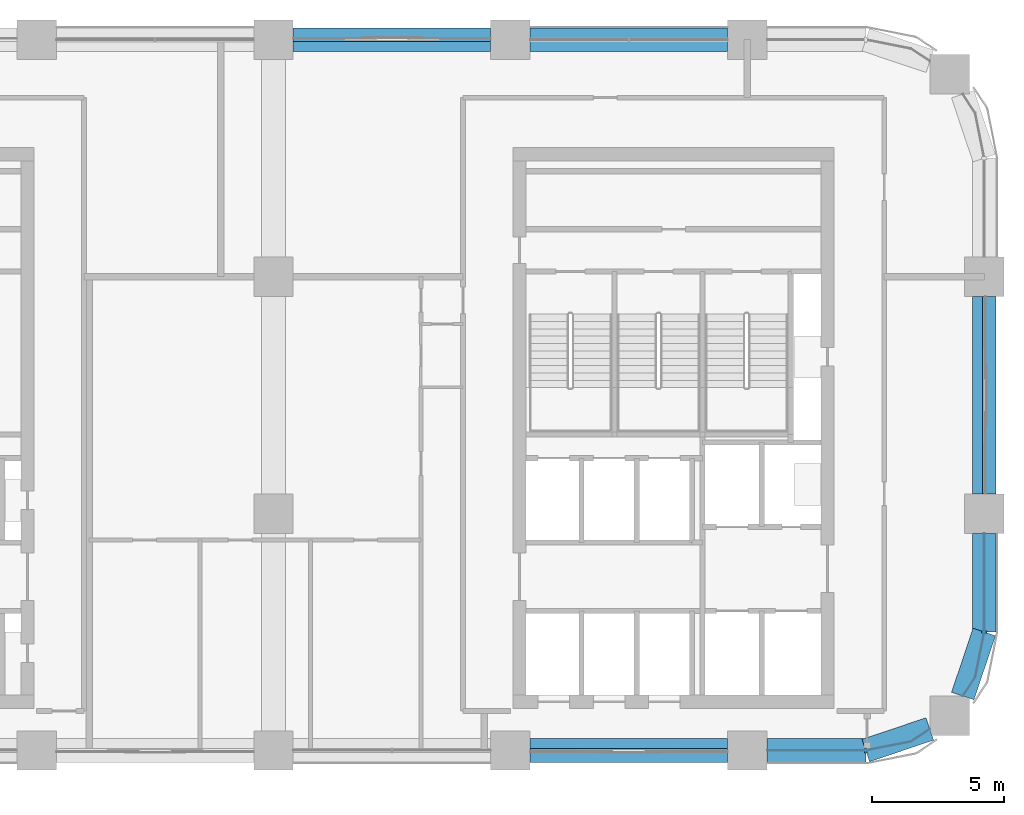
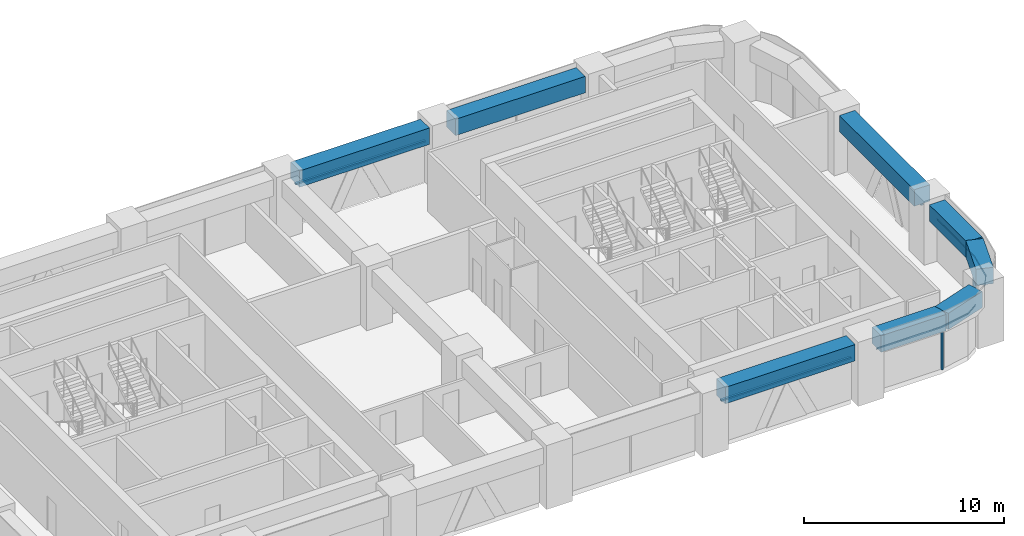
# One storey, part 5 of 19: 8 beams, 7 members, 5 elements without a shape of their own.
"""IFC4 building model written with IfcOpenShell, lengths in metres."""

from ifc_helpers import new_model, si_unit, direction, frame, origin, origin_2d, place, context, subcontext, project, spatial, polyline, rectangle, outline, extrude, material, material_profile, profile_set, type_object, element, aggregate, save


model = new_model("IFC4")

# Units and contexts
model_context = context("Model", 3, precision=1e-05, world=origin(), true_north=direction((0.0, 1.0)))
body_context = subcontext(model_context, "Body", "Model", "MODEL_VIEW")
ifc_project = project(units=[si_unit("LENGTHUNIT", "METRE"), si_unit("AREAUNIT", "SQUARE_METRE"), si_unit("VOLUMEUNIT", "CUBIC_METRE"), si_unit("PLANEANGLEUNIT", "RADIAN"), si_unit("MASSUNIT", "GRAM", prefix="KILO")], contexts=[model_context])

# Site, building, storey
site_placement = place(None, origin())
site = spatial("IfcSite", under=ifc_project, at=site_placement, CompositionType="ELEMENT")
building_placement = place(site_placement, origin())
building = spatial("IfcBuilding", under=site, at=building_placement, Name="Tessera Arch", CompositionType="ELEMENT")
storey_placement = place(building_placement, frame((0.0, 0.0, 170.0)))
storey = spatial("IfcBuildingStorey", under=building, at=storey_placement, Name="L40", CompositionType="ELEMENT", Elevation=170.0)

# Curtain wall, member
ifc_material_1 = material(Name="CW2 curtain wall")
curtain_wall_type_1 = type_object("IfcCurtainWallType", Name="CW2 curtain wall", PredefinedType="NOTDEFINED", material=ifc_material_1)
curtain_wall_1_placement = place(storey_placement, origin())
curtain_wall_1 = element("IfcCurtainWall", 1, at=curtain_wall_1_placement, inside=storey, type_object=curtain_wall_type_1, Name="CW2 curtain wall S27.0/5 L40", PredefinedType="NOTDEFINED")
ifc_material_2 = material(Name="Anodised aluminium pale metal", Category="aluminium")
ifc_material_profile_1 = material_profile(ifc_material_2, rectangle(XDim=0.199951171875, YDim=0.080078125, at=origin_2d()), Name="AL 80x200")
ifc_profile_set_1 = profile_set([ifc_material_profile_1], Name="Anodised aluminium pale metal")
member_type_1 = type_object("IfcMemberType", Name="CW2 mullion", PredefinedType="MULLION", material=ifc_profile_set_1)
member_1_placement = place(storey_placement, frame((49.5, 27.0, 0.0), z_axis=(0.0, 0.0, 1.0), x_axis=(0.0, 1.0, 0.0)))
member_1 = element("IfcMember", 2, at=member_1_placement, type_object=member_type_1, Name="CW2 mullion S27.0/5 1", PredefinedType="MULLION", context=body_context, shape_type="SweptSolid", body=[
    extrude(rectangle(XDim=0.199951171875, YDim=0.080078125, at=origin_2d()), origin(), (0.0, 0.0, 1.0), 2.5),
])

curtain_wall_2_placement = place(storey_placement, origin())
curtain_wall_2 = element("IfcCurtainWall", 3, at=curtain_wall_2_placement, inside=storey, type_object=curtain_wall_type_1, Name="CW2 curtain wall E54.27/2 L40", PredefinedType="NOTDEFINED")
member_2_placement = place(storey_placement, frame((54.0, 31.5, 0.0), z_axis=(0.0, 0.0, 1.0), x_axis=(-1.0, 0.0, 0.0)))
member_2 = element("IfcMember", 4, at=member_2_placement, type_object=member_type_1, Name="CW2 mullion E54.27/2 1", PredefinedType="MULLION", context=body_context, shape_type="SweptSolid", body=[
    extrude(rectangle(XDim=0.199951171875, YDim=0.080078125, at=origin_2d()), origin(), (0.0, 0.0, 1.0), 2.5),
])

# Member
ifc_material_3 = material(Name="Anodised aluminium pale metal", Category="aluminium")
ifc_material_profile_2 = material_profile(ifc_material_3, rectangle(XDim=0.199951171875, YDim=0.10009765625, at=origin_2d()), Name="AL 200x100")
ifc_profile_set_2 = profile_set([ifc_material_profile_2], Name="Anodised aluminium pale metal")
member_type_2 = type_object("IfcMemberType", Name="CW2 transom", PredefinedType="USERDEFINED", material=ifc_profile_set_2)
member_3_placement = place(storey_placement, frame((0.0, 0.0, 2.5)))
member_3 = element("IfcMember", 5, at=member_3_placement, type_object=member_type_2, Name="CW2 transom S27.0/5 1", ObjectType="TRANSOM", PredefinedType="USERDEFINED", context=body_context, shape_type="SweptSolid", body=[
    extrude(outline(polyline([(49.4990234375, 27.010009765625), (45.75, 27.010009765625), (45.75, 26.989990234375), (49.5009765625, 26.989990234375), (51.22607421875, 27.3330078125), (51.9375, 27.80859375), (51.926513671875, 27.8251953125), (51.21826171875, 27.351806640625), (49.4990234375, 27.010009765625)])), origin(), (0.0, 0.0, 1.0), 0.10009765625),
])

aggregate(curtain_wall_1, [member_1, member_3])

member_4_placement = place(storey_placement, frame((0.0, 0.0, 2.5)))
member_4 = element("IfcMember", 6, at=member_4_placement, type_object=member_type_2, Name="CW2 transom E54.27/2 1", ObjectType="TRANSOM", PredefinedType="USERDEFINED", context=body_context, shape_type="SweptSolid", body=[
    extrude(outline(polyline([(53.648193359375, 29.78173828125), (53.1748046875, 29.073486328125), (53.19140625, 29.0625), (53.6669921875, 29.77392578125), (54.010009765625, 31.4990234375), (54.010009765625, 35.25), (53.989990234375, 35.25), (53.989990234375, 31.5009765625), (53.648193359375, 29.78173828125)])), origin(), (0.0, 0.0, 1.0), 0.10009765625),
])

aggregate(curtain_wall_2, [member_2, member_4])

# Curtain wall, member
ifc_material_4 = material(Name="CW3 curtain wall")
curtain_wall_type_2 = type_object("IfcCurtainWallType", Name="CW3 curtain wall", PredefinedType="NOTDEFINED", material=ifc_material_4)
curtain_wall_3_placement = place(storey_placement, origin())
curtain_wall_3 = element("IfcCurtainWall", 7, at=curtain_wall_3_placement, inside=storey, type_object=curtain_wall_type_2, Name="CW3 curtain wall E54.27/0 L40", PredefinedType="NOTDEFINED")
ifc_material_5 = material(Name="Anodised aluminium pale metal", Category="aluminium")
ifc_material_profile_3 = material_profile(ifc_material_5, rectangle(XDim=0.139892578125, YDim=0.10009765625, at=origin_2d()), Name="AL 140x100")
ifc_profile_set_3 = profile_set([ifc_material_profile_3], Name="Anodised aluminium pale metal")
member_type_3 = type_object("IfcMemberType", Name="CW3 transom", PredefinedType="USERDEFINED", material=ifc_profile_set_3)
member_5_placement = place(storey_placement, frame((54.0, 36.75, 2.550048828125), z_axis=(0.0, 1.0, 0.0), x_axis=(-1.0, 0.0, 0.0)))
member_5 = element("IfcMember", 8, at=member_5_placement, type_object=member_type_3, Name="CW3 transom E54.27/0 1.1", ObjectType="TRANSOM", PredefinedType="USERDEFINED", context=body_context, shape_type="SweptSolid", body=[
    extrude(rectangle(XDim=0.139892578125, YDim=0.10009765625, at=origin_2d()), origin(), (0.0, 0.0, 1.0), 7.5),
])
aggregate(curtain_wall_3, [member_5])

curtain_wall_4_placement = place(storey_placement, origin())
curtain_wall_4 = element("IfcCurtainWall", 9, at=curtain_wall_4_placement, inside=storey, type_object=curtain_wall_type_2, Name="CW3 curtain wall N54.0/2 L40", PredefinedType="NOTDEFINED")
member_6_placement = place(storey_placement, frame((35.25, 54.0, 2.550048828125), z_axis=(-1.0, 0.0, 0.0), x_axis=(0.0, -1.0, 0.0)))
member_6 = element("IfcMember", 10, at=member_6_placement, type_object=member_type_3, Name="CW3 transom N54.0/2 1.1", ObjectType="TRANSOM", PredefinedType="USERDEFINED", context=body_context, shape_type="SweptSolid", body=[
    extrude(rectangle(XDim=0.139892578125, YDim=0.10009765625, at=origin_2d()), origin(), (0.0, 0.0, 1.0), 7.5),
])
aggregate(curtain_wall_4, [member_6])

curtain_wall_5_placement = place(storey_placement, origin())
curtain_wall_5 = element("IfcCurtainWall", 11, at=curtain_wall_5_placement, inside=storey, type_object=curtain_wall_type_2, Name="CW3 curtain wall S27.0/4 L40", PredefinedType="NOTDEFINED")
member_7_placement = place(storey_placement, frame((36.75, 27.0, 2.550048828125), z_axis=(1.0, 0.0, 0.0), x_axis=(0.0, 1.0, 0.0)))
member_7 = element("IfcMember", 12, at=member_7_placement, type_object=member_type_3, Name="CW3 transom S27.0/4 1.1", ObjectType="TRANSOM", PredefinedType="USERDEFINED", context=body_context, shape_type="SweptSolid", body=[
    extrude(rectangle(XDim=0.139892578125, YDim=0.10009765625, at=origin_2d()), origin(), (0.0, 0.0, 1.0), 7.5),
])
aggregate(curtain_wall_5, [member_7])

# Beams
ifc_material_6 = material(Name="Concrete C70/85", Category="concrete")
ifc_material_profile_4 = material_profile(ifc_material_6, rectangle(XDim=0.89990234375, YDim=1.0, at=origin_2d()), Name="RC spandrel beam 900 x 1000 Concrete C70/85")
ifc_profile_set_4 = profile_set([ifc_material_profile_4], Name="Concrete C70/85")
beam_type = type_object("IfcBeamType", Name="RC spandrel beam 900 x 1000 Concrete C70/85", PredefinedType="BEAM", material=ifc_profile_set_4)
for number, where, z_axis, x_axis, name in (
    (13, (54.0, 36.75, 3.10009765625), (0.0, 1.0, 0.0), (-1.0, 0.0, 0.0), "Spandrel beam L40 E54.27/0"),
    (14, (44.25, 54.0, 3.10009765625), (-1.0, 0.0, 0.0), (0.0, -1.0, 0.0), "Spandrel beam L40 N54.0/1"),
    (15, (35.25, 54.0, 3.10009765625), (-1.0, 0.0, 0.0), (0.0, -1.0, 0.0), "Spandrel beam L40 N54.0/2"),
    (16, (36.75, 27.0, 3.10009765625), (1.0, 0.0, 0.0), (0.0, 1.0, 0.0), "Spandrel beam L40 S27.0/4"),
):
    element("IfcBeam", number, at=place(storey_placement, frame(where, z_axis=z_axis, x_axis=x_axis)), inside=storey, type_object=beam_type, Name=name, PredefinedType="BEAM", context=body_context, shape_type="SweptSolid", body=[
        extrude(rectangle(XDim=0.89990234375, YDim=1.0, at=origin_2d()), origin(), (0.0, 0.0, 1.0), 7.5),
    ])
beam_1_placement = place(storey_placement, frame((45.75, 27.0, 3.10009765625), z_axis=(1.0, 0.0, 0.0), x_axis=(0.0, 1.0, 0.0)))
element("IfcBeam", 17, at=beam_1_placement, inside=storey, type_object=beam_type, Name="Spandrel beam L40 S27.0/5.1", PredefinedType="BEAM", context=body_context, shape_type="SweptSolid", body=[
    extrude(rectangle(XDim=0.89990234375, YDim=1.0, at=origin_2d()), origin(), (0.0, 0.0, 1.0), 3.75),
])
for number, where, z_axis, x_axis, name in (
    (18, (49.5, 27.0, 3.10009765625), (0.947947973234, 0.31842525032, 0.0), (-0.31842525032, 0.947947973234, 0.0), "Spandrel beam L40 S27.0/5.2"),
    (19, (53.18310546875, 29.068115234375, 3.10009765625), (0.31842525032, 0.947947973234, 0.0), (-0.947947973234, 0.31842525032, 0.0), "Spandrel beam L40 E54.27/2.1"),
):
    element("IfcBeam", number, at=place(storey_placement, frame(where, z_axis=z_axis, x_axis=x_axis)), inside=storey, type_object=beam_type, Name=name, PredefinedType="BEAM", context=body_context, shape_type="SweptSolid", body=[
        extrude(rectangle(XDim=0.89990234375, YDim=1.0, at=origin_2d()), origin(), (0.0, 0.0, 1.0), 2.5654296875),
    ])
beam_2_placement = place(storey_placement, frame((54.0, 31.5, 3.10009765625), z_axis=(0.0, 1.0, 0.0), x_axis=(-1.0, 0.0, 0.0)))
element("IfcBeam", 20, at=beam_2_placement, inside=storey, type_object=beam_type, Name="Spandrel beam L40 E54.27/2.2", PredefinedType="BEAM", context=body_context, shape_type="SweptSolid", body=[
    extrude(rectangle(XDim=0.89990234375, YDim=1.0, at=origin_2d()), origin(), (0.0, 0.0, 1.0), 3.75),
])

save(model, "model.ifc")
